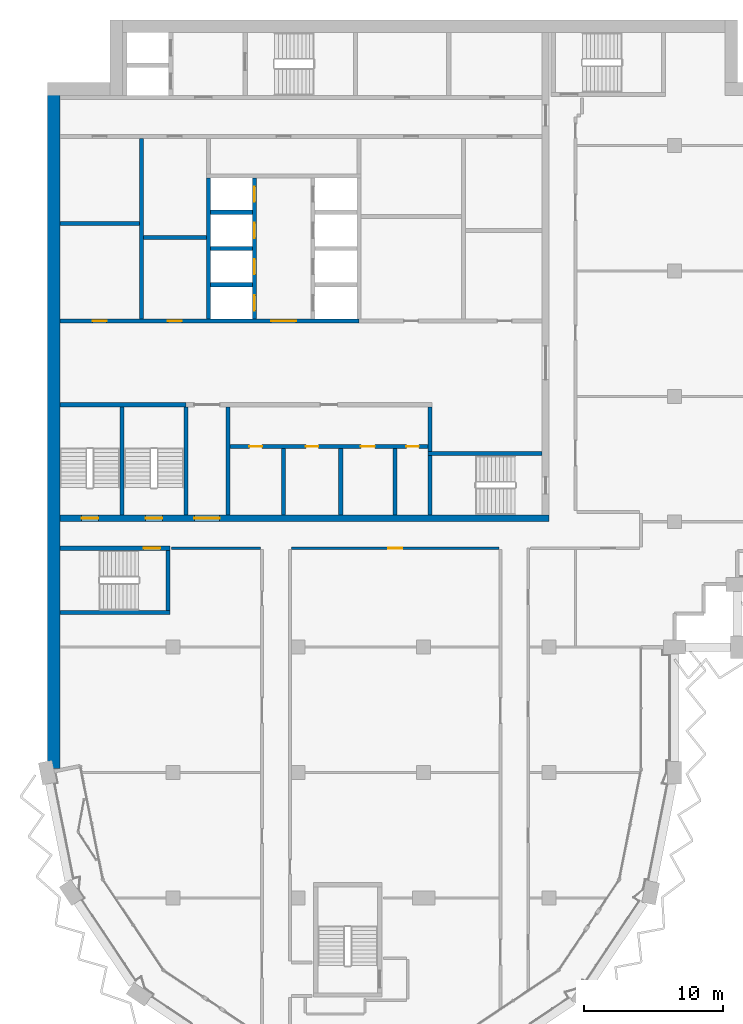
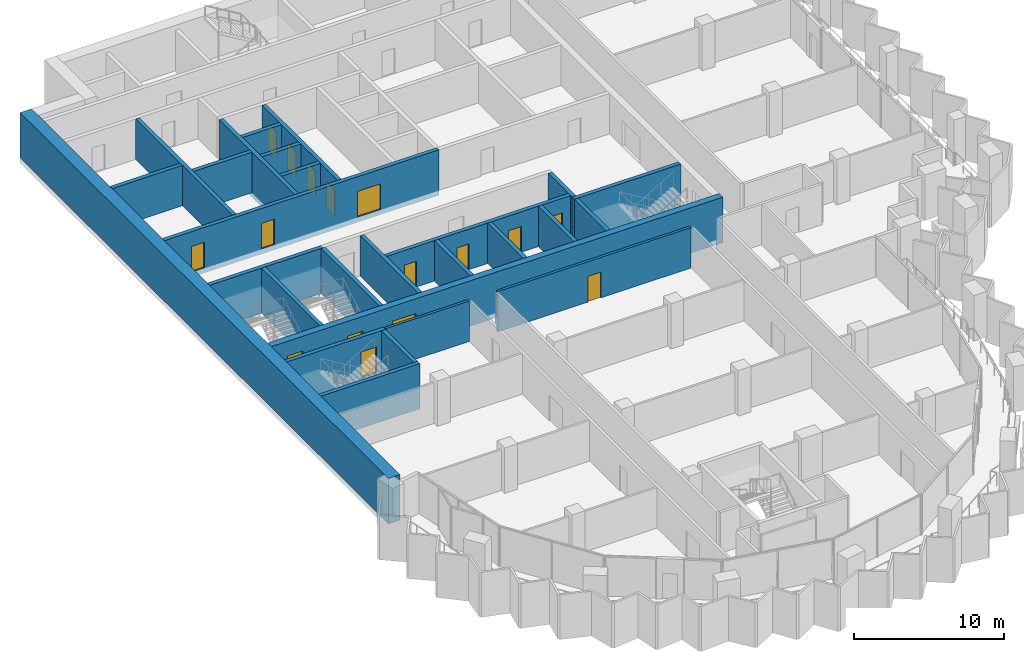
# One storey, part 9 of 17: 27 walls, 16 doors, 16 openings.
"""IFC4 building model written with IfcOpenShell, lengths in metres."""

from ifc_helpers import new_model, si_unit, direction, frame, frame_2d, origin, place, context, subcontext, project, spatial, rectangle, extrude, material, layer, layer_set, type_object, element, fill, save


model = new_model("IFC4")

# Units and contexts
model_context = context("Model", 3, precision=1e-05, world=origin(), true_north=direction((0.0, 1.0)))
body_context = subcontext(model_context, "Body", "Model", "MODEL_VIEW")
ifc_project = project(units=[si_unit("LENGTHUNIT", "METRE"), si_unit("AREAUNIT", "SQUARE_METRE"), si_unit("VOLUMEUNIT", "CUBIC_METRE"), si_unit("PLANEANGLEUNIT", "RADIAN"), si_unit("MASSUNIT", "GRAM", prefix="KILO")], contexts=[model_context])

# Site, building, storey
site_placement = place(None, origin())
site = spatial("IfcSite", under=ifc_project, at=site_placement, CompositionType="ELEMENT")
building_placement = place(site_placement, origin())
building = spatial("IfcBuilding", under=site, at=building_placement, Name="Hunhe Ridgeline Campus", CompositionType="ELEMENT")
storey_placement = place(building_placement, frame((0.0, 0.0, 268.800048828125)))
storey = spatial("IfcBuildingStorey", under=building, at=storey_placement, Name="L69", CompositionType="ELEMENT", Elevation=268.800048828125)

# Wall, openings, doors
ifc_material_1 = material(Name="Masonry concrete blockwork", Category="masonry")
ifc_layer_1 = layer(ifc_material_1, 0.300048828125)
ifc_layer_set_1 = layer_set([ifc_layer_1], Name="Core room partition 300 concrete block")
wall_type_1 = type_object("IfcWallType", Name="Core room partition 300 concrete block", PredefinedType="PARTITIONING", material=ifc_layer_set_1)
wall_1_placement = place(storey_placement, frame((13.10009765625, 68.39990234375, 0.0), z_axis=(0.0, 0.0, 1.0), x_axis=(1.0, 0.0, 0.0)))
wall_1 = element("IfcWall", 1, at=wall_1_placement, inside=storey, type_object=wall_type_1, Name="L69 core partition 7", PredefinedType="PARTITIONING", context=body_context, shape_type="SweptSolid", body=[
    extrude(rectangle(XDim=14.199951171875, YDim=0.300048828125, at=frame_2d((7.10009765625, 0.0))), origin(), (0.0, 0.0, 1.0), 3.300048828125),
])
opening_1_placement = place(wall_1_placement, frame((1.39990234375, 0.0, 0.0)))
opening_1 = element("IfcOpeningElement", 2, at=opening_1_placement, cuts=wall_1, Name="Opening CD8", PredefinedType="OPENING", context=body_context, shape_type="SweptSolid", body=[
    extrude(rectangle(XDim=0.89990234375, YDim=2.10009765625, at=frame_2d((0.449951171875, 1.050048828125))), frame((0.0, 0.14990234375, 0.0), z_axis=(0.0, -1.0, 0.0), x_axis=(1.0, 0.0, 0.0)), (0.0, 0.0, 1.0), 0.300048828125),
])
opening_2_placement = place(wall_1_placement, frame((5.449951171875, 0.0, 0.0)))
opening_2 = element("IfcOpeningElement", 3, at=opening_2_placement, cuts=wall_1, Name="Opening CD9", PredefinedType="OPENING", context=body_context, shape_type="SweptSolid", body=[
    extrude(rectangle(XDim=0.89990234375, YDim=2.10009765625, at=frame_2d((0.449951171875, 1.050048828125))), frame((0.0, 0.14990234375, 0.0), z_axis=(0.0, -1.0, 0.0), x_axis=(1.0, 0.0, 0.0)), (0.0, 0.0, 1.0), 0.300048828125),
])
opening_3_placement = place(wall_1_placement, frame((9.39990234375, 0.0, 0.0)))
opening_3 = element("IfcOpeningElement", 4, at=opening_3_placement, cuts=wall_1, Name="Opening CD10", PredefinedType="OPENING", context=body_context, shape_type="SweptSolid", body=[
    extrude(rectangle(XDim=1.0, YDim=2.10009765625, at=frame_2d((0.5, 1.050048828125))), frame((0.0, 0.14990234375, 0.0), z_axis=(0.0, -1.0, 0.0), x_axis=(1.0, 0.0, 0.0)), (0.0, 0.0, 1.0), 0.300048828125),
])
opening_4_placement = place(wall_1_placement, frame((12.64990234375, 0.0, 0.0)))
opening_4 = element("IfcOpeningElement", 5, at=opening_4_placement, cuts=wall_1, Name="Opening CD11", PredefinedType="OPENING", context=body_context, shape_type="SweptSolid", body=[
    extrude(rectangle(XDim=0.89990234375, YDim=2.10009765625, at=frame_2d((0.449951171875, 1.050048828125))), frame((0.0, 0.14990234375, 0.0), z_axis=(0.0, -1.0, 0.0), x_axis=(1.0, 0.0, 0.0)), (0.0, 0.0, 1.0), 0.300048828125),
])
ifc_material_2 = material(Name="Solid core timber door leaf", Category="wood")
door_type_1 = type_object("IfcDoorType", Name="Timber door 1000x2100", OperationType="SINGLE_SWING_LEFT", PredefinedType="DOOR", material=ifc_material_2)
door_1_placement = place(opening_3_placement, frame((1.0, 0.0, 0.0), z_axis=(0.0, 0.0, 1.0), x_axis=(-1.0, 0.0, 0.0)))
door_1 = element("IfcDoor", 6, at=door_1_placement, inside=storey, type_object=door_type_1, Name="L69 door WC3", OperationType="SINGLE_SWING_LEFT", OverallHeight=2.10009765625, OverallWidth=1.0, PredefinedType="DOOR", context=body_context, shape_type="SweptSolid", body=[
    extrude(rectangle(XDim=1.0, YDim=2.10009765625, at=frame_2d((0.5, 1.050048828125))), frame((0.0, 0.02490234375, 0.0), z_axis=(0.0, -1.0, 0.0), x_axis=(1.0, 0.0, 0.0)), (0.0, 0.0, 1.0), 0.050048828125),
])
fill(opening_3, door_1)
door_type_2 = type_object("IfcDoorType", Name="Timber door 900x2100", OperationType="SINGLE_SWING_LEFT", PredefinedType="DOOR", material=ifc_material_2)
door_2_placement = place(opening_1_placement, frame((0.89990234375, 0.0, 0.0), z_axis=(0.0, 0.0, 1.0), x_axis=(-1.0, 0.0, 0.0)))
door_2 = element("IfcDoor", 7, at=door_2_placement, inside=storey, type_object=door_type_2, Name="L69 door WC1", OperationType="SINGLE_SWING_LEFT", OverallHeight=2.10009765625, OverallWidth=0.89990234375, PredefinedType="DOOR", context=body_context, shape_type="SweptSolid", body=[
    extrude(rectangle(XDim=0.89990234375, YDim=2.10009765625, at=frame_2d((0.449951171875, 1.050048828125))), frame((0.0, 0.02490234375, 0.0), z_axis=(0.0, -1.0, 0.0), x_axis=(1.0, 0.0, 0.0)), (0.0, 0.0, 1.0), 0.050048828125),
])
fill(opening_1, door_2)
door_3_placement = place(opening_2_placement, frame((0.89990234375, 0.0, 0.0), z_axis=(0.0, 0.0, 1.0), x_axis=(-1.0, 0.0, 0.0)))
door_3 = element("IfcDoor", 8, at=door_3_placement, inside=storey, type_object=door_type_2, Name="L69 door WC2", OperationType="SINGLE_SWING_RIGHT", OverallHeight=2.10009765625, OverallWidth=0.89990234375, PredefinedType="DOOR", context=body_context, shape_type="SweptSolid", body=[
    extrude(rectangle(XDim=0.89990234375, YDim=2.10009765625, at=frame_2d((0.449951171875, 1.050048828125))), frame((0.0, 0.02490234375, 0.0), z_axis=(0.0, -1.0, 0.0), x_axis=(1.0, 0.0, 0.0)), (0.0, 0.0, 1.0), 0.050048828125),
])
fill(opening_2, door_3)
door_4_placement = place(opening_4_placement, frame((0.89990234375, 0.0, 0.0), z_axis=(0.0, 0.0, 1.0), x_axis=(-1.0, 0.0, 0.0)))
door_4 = element("IfcDoor", 9, at=door_4_placement, inside=storey, type_object=door_type_2, Name="L69 door WC4", OperationType="SINGLE_SWING_RIGHT", OverallHeight=2.10009765625, OverallWidth=0.89990234375, PredefinedType="DOOR", context=body_context, shape_type="SweptSolid", body=[
    extrude(rectangle(XDim=0.89990234375, YDim=2.10009765625, at=frame_2d((0.449951171875, 1.050048828125))), frame((0.0, 0.02490234375, 0.0), z_axis=(0.0, -1.0, 0.0), x_axis=(1.0, 0.0, 0.0)), (0.0, 0.0, 1.0), 0.050048828125),
])
fill(opening_4, door_4)

# Walls
wall_2_placement = place(storey_placement, frame((6.89990234375, 83.39990234375, 0.0), z_axis=(0.0, 0.0, 1.0), x_axis=(1.0, 0.0, 0.0)))
element("IfcWall", 10, at=wall_2_placement, inside=storey, type_object=wall_type_1, Name="L69 core partition 16", PredefinedType="PARTITIONING", context=body_context, shape_type="SweptSolid", body=[
    extrude(rectangle(XDim=4.5, YDim=0.300048828125, at=frame_2d((2.25, 0.0))), origin(), (0.0, 0.0, 1.0), 3.300048828125),
])
wall_3_placement = place(storey_placement, frame((0.89990234375, 84.39990234375, 0.0), z_axis=(0.0, 0.0, 1.0), x_axis=(1.0, 0.0, 0.0)))
element("IfcWall", 11, at=wall_3_placement, inside=storey, type_object=wall_type_1, Name="L69 core partition 18", PredefinedType="PARTITIONING", context=body_context, shape_type="SweptSolid", body=[
    extrude(rectangle(XDim=5.7001953125, YDim=0.300048828125, at=frame_2d((2.85009765625, 0.0))), origin(), (0.0, 0.0, 1.0), 3.300048828125),
])
wall_4_placement = place(storey_placement, frame((6.75, 77.550048828125, 0.0), z_axis=(0.0, 0.0, 1.0), x_axis=(0.0, 1.0, 0.0)))
element("IfcWall", 12, at=wall_4_placement, inside=storey, type_object=wall_type_1, Name="L69 core partition 29", PredefinedType="PARTITIONING", context=body_context, shape_type="SweptSolid", body=[
    extrude(rectangle(XDim=12.949951171875, YDim=0.300048828125, at=frame_2d((6.47509765625, 0.0))), origin(), (0.0, 0.0, 1.0), 3.300048828125),
])
wall_5_placement = place(storey_placement, frame((12.949951171875, 63.5, 0.0), z_axis=(0.0, 0.0, 1.0), x_axis=(0.0, 1.0, 0.0)))
element("IfcWall", 13, at=wall_5_placement, inside=storey, type_object=wall_type_1, Name="L69 core partition 35", PredefinedType="PARTITIONING", context=body_context, shape_type="SweptSolid", body=[
    extrude(rectangle(XDim=7.75, YDim=0.300048828125, at=frame_2d((3.875, 0.0))), origin(), (0.0, 0.0, 1.0), 3.300048828125),
])
for number, where, z_axis, x_axis, name in (
    (14, (16.949951171875, 63.5, 0.0), (0.0, 0.0, 1.0), (0.0, 1.0, 0.0), "L69 core partition 38"),
    (15, (21.050048828125, 63.5, 0.0), (0.0, 0.0, 1.0), (0.0, 1.0, 0.0), "L69 core partition 41"),
    (16, (24.949951171875, 63.5, 0.0), (0.0, 0.0, 1.0), (0.0, 1.0, 0.0), "L69 core partition 46"),
):
    element("IfcWall", number, at=place(storey_placement, frame(where, z_axis=z_axis, x_axis=x_axis)), inside=storey, type_object=wall_type_1, Name=name, PredefinedType="PARTITIONING", context=body_context, shape_type="SweptSolid", body=[
        extrude(rectangle(XDim=4.75, YDim=0.300048828125, at=frame_2d((2.375, 0.0))), origin(), (0.0, 0.0, 1.0), 3.300048828125),
    ])
wall_6_placement = place(storey_placement, frame((27.449951171875, 68.050048828125, 0.0), z_axis=(0.0, 0.0, 1.0), x_axis=(0.0, 1.0, 0.0)))
element("IfcWall", 17, at=wall_6_placement, inside=storey, type_object=wall_type_1, Name="L69 core partition 48", PredefinedType="PARTITIONING", context=body_context, shape_type="SweptSolid", body=[
    extrude(rectangle(XDim=3.199951171875, YDim=0.300048828125, at=frame_2d((1.60009765625, 0.0))), origin(), (0.0, 0.0, 1.0), 3.300048828125),
])

# Wall, openings, doors
ifc_material_3 = material(Name="Concrete C50", Category="concrete")
ifc_layer_2 = layer(ifc_material_3, 0.5)
ifc_layer_set_2 = layer_set([ifc_layer_2], Name="Core wall 500 reinforced concrete C50")
wall_type_2 = type_object("IfcWallType", Name="Core wall 500 reinforced concrete C50", PredefinedType="SOLIDWALL", material=ifc_layer_set_2)
wall_7_placement = place(storey_placement, frame((0.89990234375, 63.25, -0.400146484375), z_axis=(0.0, 0.0, 1.0), x_axis=(1.0, 0.0, 0.0)))
wall_7 = element("IfcWall", 18, at=wall_7_placement, inside=storey, type_object=wall_type_2, Name="L69 core wall 5", PredefinedType="SOLIDWALL", context=body_context, shape_type="SweptSolid", body=[
    extrude(rectangle(XDim=35.10009765625, YDim=0.5, at=frame_2d((17.550048828125, 0.0))), origin(), (0.0, 0.0, 1.0), 3.7001953125),
])
opening_5_placement = place(wall_7_placement, frame((9.64990234375, 0.0, 0.39990234375)))
opening_5 = element("IfcOpeningElement", 19, at=opening_5_placement, cuts=wall_7, Name="Opening CD6", PredefinedType="OPENING", context=body_context, shape_type="SweptSolid", body=[
    extrude(rectangle(XDim=1.800048828125, YDim=2.10009765625, at=frame_2d((0.89990234375, 1.050048828125))), frame((0.0, 0.25, 0.0), z_axis=(0.0, -1.0, 0.0), x_axis=(1.0, 0.0, 0.0)), (0.0, 0.0, 1.0), 0.5),
])
opening_6_placement = place(wall_7_placement, frame((1.550048828125, 0.0, 0.39990234375)))
opening_6 = element("IfcOpeningElement", 20, at=opening_6_placement, cuts=wall_7, Name="Opening CD13", PredefinedType="OPENING", context=body_context, shape_type="SweptSolid", body=[
    extrude(rectangle(XDim=1.199951171875, YDim=2.10009765625, at=frame_2d((0.60009765625, 1.050048828125))), frame((0.0, 0.25, 0.0), z_axis=(0.0, -1.0, 0.0), x_axis=(1.0, 0.0, 0.0)), (0.0, 0.0, 1.0), 0.5),
])
opening_7_placement = place(wall_7_placement, frame((6.14990234375, 0.0, 0.39990234375)))
opening_7 = element("IfcOpeningElement", 21, at=opening_7_placement, cuts=wall_7, Name="Opening CD14", PredefinedType="OPENING", context=body_context, shape_type="SweptSolid", body=[
    extrude(rectangle(XDim=1.199951171875, YDim=2.10009765625, at=frame_2d((0.60009765625, 1.050048828125))), frame((0.0, 0.25, 0.0), z_axis=(0.0, -1.0, 0.0), x_axis=(1.0, 0.0, 0.0)), (0.0, 0.0, 1.0), 0.5),
])
ifc_material_4 = material(Name="Anodised aluminium and glass", Category="aluminium")
door_type_3 = type_object("IfcDoorType", Name="Glazed double door 1800x2100", OperationType="DOUBLE_DOOR_SINGLE_SWING", PredefinedType="DOOR", material=ifc_material_4)
door_5_placement = place(opening_5_placement, frame((1.800048828125, 0.0, 0.0), z_axis=(0.0, 0.0, 1.0), x_axis=(-1.0, 0.0, 0.0)))
door_5 = element("IfcDoor", 22, at=door_5_placement, inside=storey, type_object=door_type_3, Name="L69 door VEST-FLOOR", OperationType="DOUBLE_DOOR_SINGLE_SWING", OverallHeight=2.10009765625, OverallWidth=1.800048828125, PredefinedType="DOOR", context=body_context, shape_type="SweptSolid", body=[
    extrude(rectangle(XDim=1.800048828125, YDim=2.10009765625, at=frame_2d((0.89990234375, 1.050048828125))), frame((0.0, 0.02490234375, 0.0), z_axis=(0.0, -1.0, 0.0), x_axis=(1.0, 0.0, 0.0)), (0.0, 0.0, 1.0), 0.050048828125),
])
fill(opening_5, door_5)
ifc_material_5 = material(Name="Hollow metal fire door leaf")
door_type_4 = type_object("IfcDoorType", Name="Stair door 1200x2100 FD60", OperationType="SINGLE_SWING_LEFT", PredefinedType="DOOR", material=ifc_material_5)
door_6_placement = place(opening_6_placement, frame((1.199951171875, 0.0, 0.0), z_axis=(0.0, 0.0, 1.0), x_axis=(-1.0, 0.0, 0.0)))
door_6 = element("IfcDoor", 23, at=door_6_placement, inside=storey, type_object=door_type_4, Name="L69 door S3", OperationType="SINGLE_SWING_LEFT", OverallHeight=2.10009765625, OverallWidth=1.199951171875, PredefinedType="DOOR", context=body_context, shape_type="SweptSolid", body=[
    extrude(rectangle(XDim=1.199951171875, YDim=2.10009765625, at=frame_2d((0.60009765625, 1.050048828125))), frame((0.0, 0.02490234375, 0.0), z_axis=(0.0, -1.0, 0.0), x_axis=(1.0, 0.0, 0.0)), (0.0, 0.0, 1.0), 0.050048828125),
])
fill(opening_6, door_6)
door_7_placement = place(opening_7_placement, frame((1.199951171875, 0.0, 0.0), z_axis=(0.0, 0.0, 1.0), x_axis=(-1.0, 0.0, 0.0)))
door_7 = element("IfcDoor", 24, at=door_7_placement, inside=storey, type_object=door_type_4, Name="L69 door S4", OperationType="SINGLE_SWING_RIGHT", OverallHeight=2.10009765625, OverallWidth=1.199951171875, PredefinedType="DOOR", context=body_context, shape_type="SweptSolid", body=[
    extrude(rectangle(XDim=1.199951171875, YDim=2.10009765625, at=frame_2d((0.60009765625, 1.050048828125))), frame((0.0, 0.02490234375, 0.0), z_axis=(0.0, -1.0, 0.0), x_axis=(1.0, 0.0, 0.0)), (0.0, 0.0, 1.0), 0.050048828125),
])
fill(opening_7, door_7)

# Wall
ifc_material_6 = material(Name="Gypsum board partition")
ifc_layer_3 = layer(ifc_material_6, 0.199951171875)
ifc_layer_set_3 = layer_set([ifc_layer_3], Name="Corridor partition 200 gypsum board on steel studs")
wall_type_3 = type_object("IfcWallType", Name="Corridor partition 200 gypsum board on steel studs", PredefinedType="PARTITIONING", material=ifc_layer_set_3)
wall_8_placement = place(storey_placement, frame((15.300048828125, 61.10009765625, 0.0), z_axis=(0.0, 0.0, 1.0), x_axis=(-1.0, 0.0, 0.0)))
element("IfcWall", 25, at=wall_8_placement, inside=storey, type_object=wall_type_3, Name="F-L69-wall-024", PredefinedType="PARTITIONING", context=body_context, shape_type="SweptSolid", body=[
    extrude(rectangle(XDim=6.39599609375, YDim=0.199951171875, at=frame_2d((3.197998046875, 0.0))), origin(), (0.0, 0.0, 1.0), 3.300048828125),
])

# Wall, opening, door
wall_9_placement = place(storey_placement, frame((32.39990234375, 61.10009765625, 0.0), z_axis=(0.0, 0.0, 1.0), x_axis=(-1.0, 0.0, 0.0)))
wall_9 = element("IfcWall", 26, at=wall_9_placement, inside=storey, type_object=wall_type_3, Name="F-L69-wall-025", PredefinedType="PARTITIONING", context=body_context, shape_type="SweptSolid", body=[
    extrude(rectangle(XDim=14.89990234375, YDim=0.199951171875, at=frame_2d((7.449951171875, 0.0))), origin(), (0.0, 0.0, 1.0), 3.300048828125),
])
opening_8_placement = place(wall_9_placement, frame((6.949951171875, 0.0, 0.0)))
opening_8 = element("IfcOpeningElement", 27, at=opening_8_placement, cuts=wall_9, Name="Opening RD1-012", PredefinedType="OPENING", context=body_context, shape_type="SweptSolid", body=[
    extrude(rectangle(XDim=1.0, YDim=2.10009765625, at=frame_2d((0.5, 1.050048828125))), frame((0.0, 0.10009765625, 0.0), z_axis=(0.0, -1.0, 0.0), x_axis=(1.0, 0.0, 0.0)), (0.0, 0.0, 1.0), 0.199951171875),
])
ifc_material_7 = material(Name="Timber door leaf", Category="wood")
door_type_5 = type_object("IfcDoorType", Name="Single fire door 1000x2100 timber FD60", OperationType="NOTDEFINED", PredefinedType="DOOR", material=ifc_material_7)
door_8_placement = place(opening_8_placement, origin())
door_8 = element("IfcDoor", 28, at=door_8_placement, inside=storey, type_object=door_type_5, Name="F-L69-door-012", OperationType="SINGLE_SWING_RIGHT", OverallHeight=2.10009765625, OverallWidth=1.0, PredefinedType="DOOR", context=body_context, shape_type="SweptSolid", body=[
    extrude(rectangle(XDim=1.0, YDim=2.10009765625, at=frame_2d((0.5, 1.050048828125))), frame((0.0, 0.02490234375, 0.0), z_axis=(0.0, -1.0, 0.0), x_axis=(1.0, 0.0, 0.0)), (0.0, 0.0, 1.0), 0.050048828125),
])
fill(opening_8, door_8)

# Wall, openings, doors
ifc_layer_4 = layer(ifc_material_3, 0.300048828125)
ifc_layer_set_4 = layer_set([ifc_layer_4], Name="Shaft wall 300 reinforced concrete C50")
wall_type_4 = type_object("IfcWallType", Name="Shaft wall 300 reinforced concrete C50", PredefinedType="SOLIDWALL", material=ifc_layer_set_4)
wall_10_placement = place(storey_placement, frame((0.89990234375, 77.39990234375, -0.400146484375), z_axis=(0.0, 0.0, 1.0), x_axis=(1.0, 0.0, 0.0)))
wall_10 = element("IfcWall", 29, at=wall_10_placement, inside=storey, type_object=wall_type_4, Name="L69 core wall 10", PredefinedType="SOLIDWALL", context=body_context, shape_type="SweptSolid", body=[
    extrude(rectangle(XDim=21.4501953125, YDim=0.300048828125, at=frame_2d((10.72509765625, 0.0))), origin(), (0.0, 0.0, 1.0), 3.7001953125),
])
opening_9_placement = place(wall_10_placement, frame((15.14990234375, 0.0, 0.39990234375)))
opening_9 = element("IfcOpeningElement", 30, at=opening_9_placement, cuts=wall_10, Name="Opening CD38", PredefinedType="OPENING", context=body_context, shape_type="SweptSolid", body=[
    extrude(rectangle(XDim=1.800048828125, YDim=2.10009765625, at=frame_2d((0.89990234375, 1.050048828125))), frame((0.0, 0.14990234375, 0.0), z_axis=(0.0, -1.0, 0.0), x_axis=(1.0, 0.0, 0.0)), (0.0, 0.0, 1.0), 0.300048828125),
])
opening_10_placement = place(wall_10_placement, frame((2.35009765625, 0.0, 0.39990234375)))
opening_10 = element("IfcOpeningElement", 31, at=opening_10_placement, cuts=wall_10, Name="Opening CD39", PredefinedType="OPENING", context=body_context, shape_type="SweptSolid", body=[
    extrude(rectangle(XDim=1.0, YDim=2.10009765625, at=frame_2d((0.5, 1.050048828125))), frame((0.0, 0.14990234375, 0.0), z_axis=(0.0, -1.0, 0.0), x_axis=(1.0, 0.0, 0.0)), (0.0, 0.0, 1.0), 0.300048828125),
])
opening_11_placement = place(wall_10_placement, frame((7.75, 0.0, 0.39990234375)))
opening_11 = element("IfcOpeningElement", 32, at=opening_11_placement, cuts=wall_10, Name="Opening CD41", PredefinedType="OPENING", context=body_context, shape_type="SweptSolid", body=[
    extrude(rectangle(XDim=1.0, YDim=2.10009765625, at=frame_2d((0.5, 1.050048828125))), frame((0.0, 0.14990234375, 0.0), z_axis=(0.0, -1.0, 0.0), x_axis=(1.0, 0.0, 0.0)), (0.0, 0.0, 1.0), 0.300048828125),
])
door_type_6 = type_object("IfcDoorType", Name="Lobby door 1800x2100 FD60", OperationType="SINGLE_SWING_LEFT", PredefinedType="DOOR", material=ifc_material_5)
door_9_placement = place(opening_9_placement, frame((1.800048828125, 0.0, 0.0), z_axis=(0.0, 0.0, 1.0), x_axis=(-1.0, 0.0, 0.0)))
door_9 = element("IfcDoor", 33, at=door_9_placement, inside=storey, type_object=door_type_6, Name="L69 door LOB-HR", OperationType="SINGLE_SWING_RIGHT", OverallHeight=2.10009765625, OverallWidth=1.800048828125, PredefinedType="DOOR", context=body_context, shape_type="SweptSolid", body=[
    extrude(rectangle(XDim=1.800048828125, YDim=2.10009765625, at=frame_2d((0.89990234375, 1.050048828125))), frame((0.0, 0.02490234375, 0.0), z_axis=(0.0, -1.0, 0.0), x_axis=(1.0, 0.0, 0.0)), (0.0, 0.0, 1.0), 0.050048828125),
])
fill(opening_9, door_9)
door_10_placement = place(opening_10_placement, origin())
door_10 = element("IfcDoor", 34, at=door_10_placement, inside=storey, type_object=door_type_1, Name="L69 door VD-LR0", OperationType="SINGLE_SWING_RIGHT", OverallHeight=2.10009765625, OverallWidth=1.0, PredefinedType="DOOR", context=body_context, shape_type="SweptSolid", body=[
    extrude(rectangle(XDim=1.0, YDim=2.10009765625, at=frame_2d((0.5, 1.050048828125))), frame((0.0, 0.02490234375, 0.0), z_axis=(0.0, -1.0, 0.0), x_axis=(1.0, 0.0, 0.0)), (0.0, 0.0, 1.0), 0.050048828125),
])
fill(opening_10, door_10)
door_11_placement = place(opening_11_placement, origin())
door_11 = element("IfcDoor", 35, at=door_11_placement, inside=storey, type_object=door_type_1, Name="L69 door VD-LR2", OperationType="SINGLE_SWING_RIGHT", OverallHeight=2.10009765625, OverallWidth=1.0, PredefinedType="DOOR", context=body_context, shape_type="SweptSolid", body=[
    extrude(rectangle(XDim=1.0, YDim=2.10009765625, at=frame_2d((0.5, 1.050048828125))), frame((0.0, 0.02490234375, 0.0), z_axis=(0.0, -1.0, 0.0), x_axis=(1.0, 0.0, 0.0)), (0.0, 0.0, 1.0), 0.050048828125),
])
fill(opening_11, door_11)

# Walls
for number, where, z_axis, x_axis, name in (
    (36, (11.699951171875, 80.0, -0.400146484375), (0.0, 0.0, 1.0), (1.0, 0.0, 0.0), "L69 core wall 12"),
    (37, (11.699951171875, 82.60009765625, -0.400146484375), (0.0, 0.0, 1.0), (1.0, 0.0, 0.0), "L69 core wall 14"),
    (38, (11.699951171875, 85.199951171875, -0.400146484375), (0.0, 0.0, 1.0), (1.0, 0.0, 0.0), "L69 core wall 20"),
):
    element("IfcWall", number, at=place(storey_placement, frame(where, z_axis=z_axis, x_axis=x_axis)), inside=storey, type_object=wall_type_4, Name=name, PredefinedType="SOLIDWALL", context=body_context, shape_type="SweptSolid", body=[
        extrude(rectangle(XDim=3.0, YDim=0.300048828125, at=frame_2d((1.5, 0.0))), origin(), (0.0, 0.0, 1.0), 3.7001953125),
    ])
wall_11_placement = place(storey_placement, frame((11.550048828125, 77.550048828125, -0.400146484375), z_axis=(0.0, 0.0, 1.0), x_axis=(0.0, 1.0, 0.0)))
element("IfcWall", 39, at=wall_11_placement, inside=storey, type_object=wall_type_4, Name="L69 core wall 33", PredefinedType="SOLIDWALL", context=body_context, shape_type="SweptSolid", body=[
    extrude(rectangle(XDim=10.099853515625, YDim=0.300048828125, at=frame_2d((5.0498046875, 0.0))), origin(), (0.0, 0.0, 1.0), 3.7001953125),
])

# Wall, openings, doors
wall_12_placement = place(storey_placement, frame((14.85009765625, 77.550048828125, -0.400146484375), z_axis=(0.0, 0.0, 1.0), x_axis=(0.0, 1.0, 0.0)))
wall_12 = element("IfcWall", 40, at=wall_12_placement, inside=storey, type_object=wall_type_4, Name="L69 core wall 37", PredefinedType="SOLIDWALL", context=body_context, shape_type="SweptSolid", body=[
    extrude(rectangle(XDim=10.099853515625, YDim=0.300048828125, at=frame_2d((5.0498046875, 0.0))), origin(), (0.0, 0.0, 1.0), 3.7001953125),
])
opening_12_placement = place(wall_12_placement, frame((0.60009765625, 0.0, 0.39990234375)))
opening_12 = element("IfcOpeningElement", 41, at=opening_12_placement, cuts=wall_12, Name="Opening LD-HR1", PredefinedType="OPENING", context=body_context, shape_type="SweptSolid", body=[
    extrude(rectangle(XDim=1.10009765625, YDim=2.10009765625, at=frame_2d((0.550048828125, 1.050048828125))), frame((0.0, 0.14990234375, 0.0), z_axis=(0.0, -1.0, 0.0), x_axis=(1.0, 0.0, 0.0)), (0.0, 0.0, 1.0), 0.300048828125),
])
opening_13_placement = place(wall_12_placement, frame((3.199951171875, 0.0, 0.39990234375)))
opening_13 = element("IfcOpeningElement", 42, at=opening_13_placement, cuts=wall_12, Name="Opening LD-HR2", PredefinedType="OPENING", context=body_context, shape_type="SweptSolid", body=[
    extrude(rectangle(XDim=1.10009765625, YDim=2.10009765625, at=frame_2d((0.550048828125, 1.050048828125))), frame((0.0, 0.14990234375, 0.0), z_axis=(0.0, -1.0, 0.0), x_axis=(1.0, 0.0, 0.0)), (0.0, 0.0, 1.0), 0.300048828125),
])
opening_14_placement = place(wall_12_placement, frame((5.800048828125, 0.0, 0.39990234375)))
opening_14 = element("IfcOpeningElement", 43, at=opening_14_placement, cuts=wall_12, Name="Opening LD-HR3", PredefinedType="OPENING", context=body_context, shape_type="SweptSolid", body=[
    extrude(rectangle(XDim=1.10009765625, YDim=2.10009765625, at=frame_2d((0.550048828125, 1.050048828125))), frame((0.0, 0.14990234375, 0.0), z_axis=(0.0, -1.0, 0.0), x_axis=(1.0, 0.0, 0.0)), (0.0, 0.0, 1.0), 0.300048828125),
])
opening_15_placement = place(wall_12_placement, frame((8.39990234375, 0.0, 0.39990234375)))
opening_15 = element("IfcOpeningElement", 44, at=opening_15_placement, cuts=wall_12, Name="Opening LD-HR4", PredefinedType="OPENING", context=body_context, shape_type="SweptSolid", body=[
    extrude(rectangle(XDim=1.10009765625, YDim=2.10009765625, at=frame_2d((0.550048828125, 1.050048828125))), frame((0.0, 0.14990234375, 0.0), z_axis=(0.0, -1.0, 0.0), x_axis=(1.0, 0.0, 0.0)), (0.0, 0.0, 1.0), 0.300048828125),
])
ifc_material_8 = material(Name="Stainless steel sliding leaves", Category="steel")
door_type_7 = type_object("IfcDoorType", Name="Landing door 1100x2100 FD120", OperationType="SLIDING_TO_LEFT", PredefinedType="DOOR", material=ifc_material_8)
door_12_placement = place(opening_12_placement, origin())
door_12 = element("IfcDoor", 45, at=door_12_placement, inside=storey, type_object=door_type_7, Name="L69 landing door HR1", OperationType="SLIDING_TO_RIGHT", OverallHeight=2.10009765625, OverallWidth=1.10009765625, PredefinedType="DOOR", context=body_context, shape_type="SweptSolid", body=[
    extrude(rectangle(XDim=1.10009765625, YDim=2.10009765625, at=frame_2d((0.550048828125, 1.050048828125))), frame((0.0, 0.02490234375, 0.0), z_axis=(0.0, -1.0, 0.0), x_axis=(1.0, 0.0, 0.0)), (0.0, 0.0, 1.0), 0.050048828125),
])
fill(opening_12, door_12)
door_13_placement = place(opening_13_placement, origin())
door_13 = element("IfcDoor", 46, at=door_13_placement, inside=storey, type_object=door_type_7, Name="L69 landing door HR2", OperationType="SLIDING_TO_LEFT", OverallHeight=2.10009765625, OverallWidth=1.10009765625, PredefinedType="DOOR", context=body_context, shape_type="SweptSolid", body=[
    extrude(rectangle(XDim=1.10009765625, YDim=2.10009765625, at=frame_2d((0.550048828125, 1.050048828125))), frame((0.0, 0.02490234375, 0.0), z_axis=(0.0, -1.0, 0.0), x_axis=(1.0, 0.0, 0.0)), (0.0, 0.0, 1.0), 0.050048828125),
])
fill(opening_13, door_13)
door_14_placement = place(opening_14_placement, origin())
door_14 = element("IfcDoor", 47, at=door_14_placement, inside=storey, type_object=door_type_7, Name="L69 landing door HR3", OperationType="SLIDING_TO_RIGHT", OverallHeight=2.10009765625, OverallWidth=1.10009765625, PredefinedType="DOOR", context=body_context, shape_type="SweptSolid", body=[
    extrude(rectangle(XDim=1.10009765625, YDim=2.10009765625, at=frame_2d((0.550048828125, 1.050048828125))), frame((0.0, 0.02490234375, 0.0), z_axis=(0.0, -1.0, 0.0), x_axis=(1.0, 0.0, 0.0)), (0.0, 0.0, 1.0), 0.050048828125),
])
fill(opening_14, door_14)
door_15_placement = place(opening_15_placement, origin())
door_15 = element("IfcDoor", 48, at=door_15_placement, inside=storey, type_object=door_type_7, Name="L69 landing door HR4", OperationType="SLIDING_TO_LEFT", OverallHeight=2.10009765625, OverallWidth=1.10009765625, PredefinedType="DOOR", context=body_context, shape_type="SweptSolid", body=[
    extrude(rectangle(XDim=1.10009765625, YDim=2.10009765625, at=frame_2d((0.550048828125, 1.050048828125))), frame((0.0, 0.02490234375, 0.0), z_axis=(0.0, -1.0, 0.0), x_axis=(1.0, 0.0, 0.0)), (0.0, 0.0, 1.0), 0.050048828125),
])
fill(opening_15, door_15)

# Walls
ifc_material_9 = material(Name="Concrete C60", Category="concrete")
ifc_layer_5 = layer(ifc_material_9, 0.89990234375)
ifc_layer_set_5 = layer_set([ifc_layer_5], Name="Spine wall 900 Concrete C60")
wall_type_5 = type_object("IfcWallType", Name="Spine wall 900 Concrete C60", PredefinedType="SHEAR", material=ifc_layer_set_5)
wall_13_placement = place(storey_placement, frame((0.449951171875, 94.5, 0.0), z_axis=(0.0, 0.0, 1.0), x_axis=(0.0, -1.0, 0.0)))
element("IfcWall", 49, at=wall_13_placement, inside=storey, type_object=wall_type_5, Name="Spine wall SW3-1 L69", PredefinedType="SHEAR", context=body_context, shape_type="SweptSolid", body=[
    extrude(rectangle(XDim=49.199462890625, YDim=0.89990234375, at=frame_2d((24.599609375, 0.0))), origin(), (0.0, 0.0, 1.0), 3.699951171875),
])
ifc_layer_6 = layer(ifc_material_3, 0.300048828125)
ifc_layer_set_6 = layer_set([ifc_layer_6], Name="Stair wall 300 reinforced concrete C50")
wall_type_6 = type_object("IfcWallType", Name="Stair wall 300 reinforced concrete C50", PredefinedType="SOLIDWALL", material=ifc_layer_set_6)
wall_14_placement = place(storey_placement, frame((0.89990234375, 56.5, -0.400146484375), z_axis=(0.0, 0.0, 1.0), x_axis=(1.0, 0.0, 0.0)))
element("IfcWall", 50, at=wall_14_placement, inside=storey, type_object=wall_type_6, Name="L69 core wall 3", PredefinedType="SOLIDWALL", context=body_context, shape_type="SweptSolid", body=[
    extrude(rectangle(XDim=7.900146484375, YDim=0.300048828125, at=frame_2d((3.9501953125, 0.0))), origin(), (0.0, 0.0, 1.0), 3.7001953125),
])

# Wall, opening, door
wall_15_placement = place(storey_placement, frame((0.89990234375, 61.10009765625, -0.400146484375), z_axis=(0.0, 0.0, 1.0), x_axis=(1.0, 0.0, 0.0)))
wall_15 = element("IfcWall", 51, at=wall_15_placement, inside=storey, type_object=wall_type_6, Name="L69 core wall 4", PredefinedType="SOLIDWALL", context=body_context, shape_type="SweptSolid", body=[
    extrude(rectangle(XDim=7.900146484375, YDim=0.300048828125, at=frame_2d((3.9501953125, 0.0))), origin(), (0.0, 0.0, 1.0), 3.7001953125),
])
opening_16_placement = place(wall_15_placement, frame((6.0, 0.0, 0.39990234375)))
opening_16 = element("IfcOpeningElement", 52, at=opening_16_placement, cuts=wall_15, Name="Opening CD22", PredefinedType="OPENING", context=body_context, shape_type="SweptSolid", body=[
    extrude(rectangle(XDim=1.199951171875, YDim=2.10009765625, at=frame_2d((0.60009765625, 1.050048828125))), frame((0.0, 0.14990234375, 0.0), z_axis=(0.0, -1.0, 0.0), x_axis=(1.0, 0.0, 0.0)), (0.0, 0.0, 1.0), 0.300048828125),
])
door_16_placement = place(opening_16_placement, origin())
door_16 = element("IfcDoor", 53, at=door_16_placement, inside=storey, type_object=door_type_4, Name="L69 door W2", OperationType="SINGLE_SWING_LEFT", OverallHeight=2.10009765625, OverallWidth=1.199951171875, PredefinedType="DOOR", context=body_context, shape_type="SweptSolid", body=[
    extrude(rectangle(XDim=1.199951171875, YDim=2.10009765625, at=frame_2d((0.60009765625, 1.050048828125))), frame((0.0, 0.02490234375, 0.0), z_axis=(0.0, -1.0, 0.0), x_axis=(1.0, 0.0, 0.0)), (0.0, 0.0, 1.0), 0.050048828125),
])
fill(opening_16, door_16)

# Walls
wall_16_placement = place(storey_placement, frame((27.300048828125, 67.89990234375, -0.400146484375), z_axis=(0.0, 0.0, 1.0), x_axis=(1.0, 0.0, 0.0)))
element("IfcWall", 54, at=wall_16_placement, inside=storey, type_object=wall_type_6, Name="L69 core wall 6", PredefinedType="SOLIDWALL", context=body_context, shape_type="SweptSolid", body=[
    extrude(rectangle(XDim=8.199951171875, YDim=0.300048828125, at=frame_2d((4.10009765625, 0.0))), origin(), (0.0, 0.0, 1.0), 3.7001953125),
])
wall_17_placement = place(storey_placement, frame((0.89990234375, 71.39990234375, -0.400146484375), z_axis=(0.0, 0.0, 1.0), x_axis=(1.0, 0.0, 0.0)))
element("IfcWall", 55, at=wall_17_placement, inside=storey, type_object=wall_type_6, Name="L69 core wall 8", PredefinedType="SOLIDWALL", context=body_context, shape_type="SweptSolid", body=[
    extrude(rectangle(XDim=9.050048828125, YDim=0.300048828125, at=frame_2d((4.52490234375, 0.0))), origin(), (0.0, 0.0, 1.0), 3.7001953125),
])
wall_18_placement = place(storey_placement, frame((5.35009765625, 63.5, -0.400146484375), z_axis=(0.0, 0.0, 1.0), x_axis=(0.0, 1.0, 0.0)))
element("IfcWall", 56, at=wall_18_placement, inside=storey, type_object=wall_type_6, Name="L69 core wall 27", PredefinedType="SOLIDWALL", context=body_context, shape_type="SweptSolid", body=[
    extrude(rectangle(XDim=7.75, YDim=0.300048828125, at=frame_2d((3.875, 0.0))), origin(), (0.0, 0.0, 1.0), 3.7001953125),
])
wall_19_placement = place(storey_placement, frame((8.64990234375, 56.64990234375, -0.400146484375), z_axis=(0.0, 0.0, 1.0), x_axis=(0.0, 1.0, 0.0)))
element("IfcWall", 57, at=wall_19_placement, inside=storey, type_object=wall_type_6, Name="L69 core wall 30", PredefinedType="SOLIDWALL", context=body_context, shape_type="SweptSolid", body=[
    extrude(rectangle(XDim=4.300048828125, YDim=0.300048828125, at=frame_2d((2.14990234375, 0.0))), origin(), (0.0, 0.0, 1.0), 3.7001953125),
])
wall_20_placement = place(storey_placement, frame((9.949951171875, 63.5, -0.400146484375), z_axis=(0.0, 0.0, 1.0), x_axis=(0.0, 1.0, 0.0)))
element("IfcWall", 58, at=wall_20_placement, inside=storey, type_object=wall_type_6, Name="L69 core wall 32", PredefinedType="SOLIDWALL", context=body_context, shape_type="SweptSolid", body=[
    extrude(rectangle(XDim=7.75, YDim=0.300048828125, at=frame_2d((3.875, 0.0))), origin(), (0.0, 0.0, 1.0), 3.7001953125),
])
wall_21_placement = place(storey_placement, frame((27.449951171875, 63.5, -0.400146484375), z_axis=(0.0, 0.0, 1.0), x_axis=(0.0, 1.0, 0.0)))
element("IfcWall", 59, at=wall_21_placement, inside=storey, type_object=wall_type_6, Name="L69 core wall 47", PredefinedType="SOLIDWALL", context=body_context, shape_type="SweptSolid", body=[
    extrude(rectangle(XDim=4.25, YDim=0.300048828125, at=frame_2d((2.125, 0.0))), origin(), (0.0, 0.0, 1.0), 3.7001953125),
])

save(model, "model.ifc")
